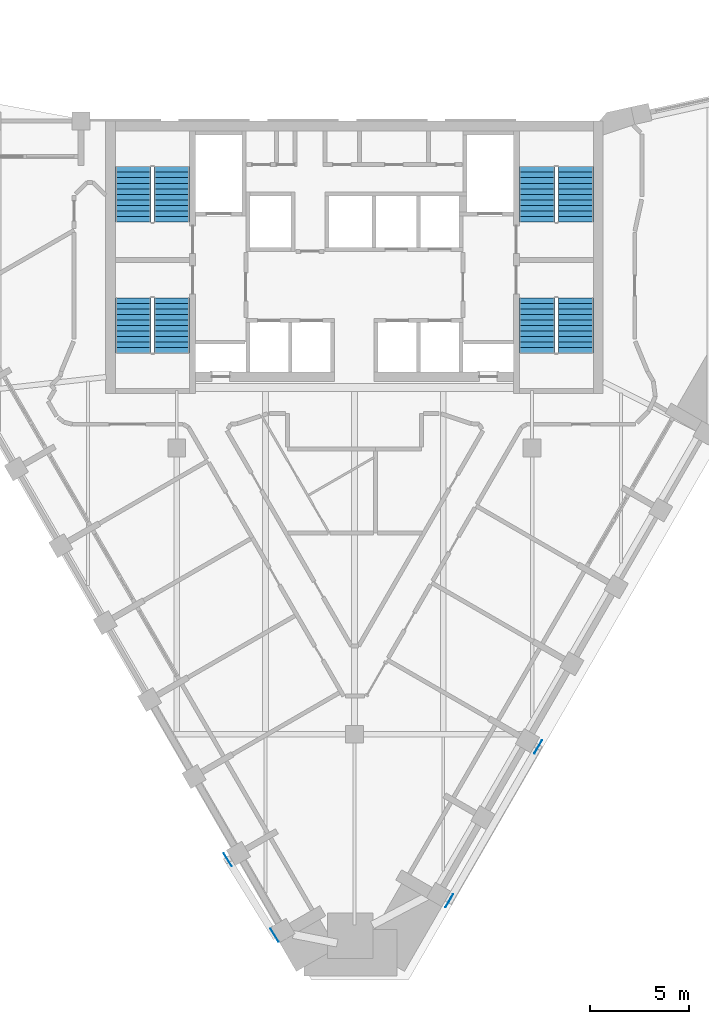
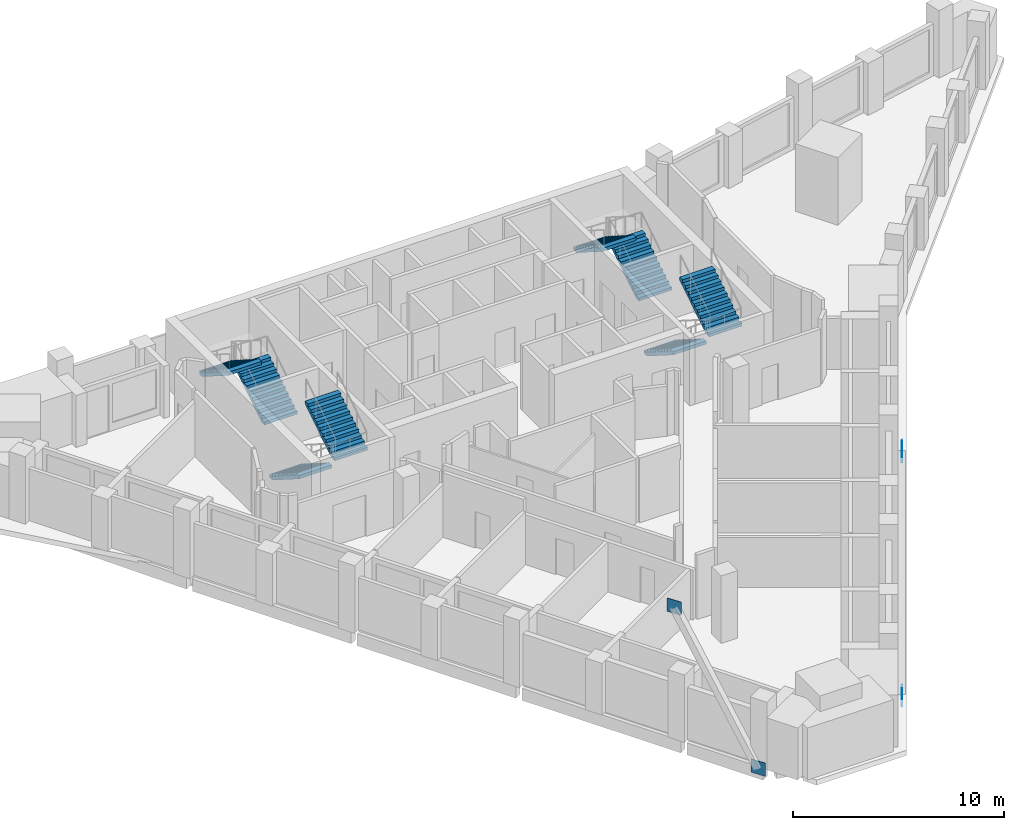
# One storey, part 8 of 9: 8 stair flights, 4 discrete accessories, 4 elements without a shape of their own.
"""IFC4 building model written with IfcOpenShell, lengths in metres."""

from ifc_helpers import new_model, si_unit, direction, frame, origin, origin_2d, place, context, subcontext, project, spatial, rectangle, extrude, faceted_brep, source, transform, mapped, material, type_object, element, aggregate, save


model = new_model("IFC4")

# Units and contexts
model_context = context("Model", 3, precision=1e-05, world=origin(), true_north=direction((0.0, 1.0)))
body_context = subcontext(model_context, "Body", "Model", "MODEL_VIEW")
ifc_project = project(units=[si_unit("LENGTHUNIT", "METRE"), si_unit("AREAUNIT", "SQUARE_METRE"), si_unit("VOLUMEUNIT", "CUBIC_METRE"), si_unit("PLANEANGLEUNIT", "RADIAN"), si_unit("MASSUNIT", "GRAM", prefix="KILO")], contexts=[model_context])

# Site, building, storey
site_placement = place(None, origin())
site = spatial("IfcSite", under=ifc_project, at=site_placement, CompositionType="ELEMENT")
building_placement = place(site_placement, origin())
building = spatial("IfcBuilding", under=site, at=building_placement, Name="Calabash Gate Tower", CompositionType="ELEMENT")
storey_placement = place(building_placement, frame((0.0, 0.0, 248.199951171875)))
storey = spatial("IfcBuildingStorey", under=building, at=storey_placement, Name="L59", CompositionType="ELEMENT", Elevation=248.199951171875)

# Stair, stair flights
ifc_material_1 = material(Name="Concrete C40/50", Category="concrete")
stair_type = type_object("IfcStairType", Name="Exit stair 22 risers of 177.3 mm", PredefinedType="HALF_TURN_STAIR", material=ifc_material_1)
stair_1_placement = place(storey_placement, origin())
stair_1 = element("IfcStair", 1, at=stair_1_placement, inside=storey, type_object=stair_type, Name="L59 Exit stair ST1", PredefinedType="HALF_TURN_STAIR")
ifc_material_2 = material(Name="Concrete C40/50", Category="concrete")
stair_flight_type = type_object("IfcStairFlightType", Name="Exit stair flight SFL", PredefinedType="STRAIGHT", material=ifc_material_2)
shared_shape = source(origin(), body_context, "Body", "Brep", [
    faceted_brep([(-0.0009765625, -0.89990234375, 0.0), (0.279541015625, -0.89990234375, 0.0), (2.791015625, -0.89990234375, 1.59521484375), (-0.0009765625, 0.89990234375, 0.0), (2.791015625, 0.89990234375, 1.59521484375), (0.279541015625, 0.89990234375, 0.0), (2.791015625, -0.89990234375, 1.78466796875), (2.7900390625, -0.89990234375, 1.78466796875), (2.7900390625, 0.89990234375, 1.78466796875), (2.791015625, 0.89990234375, 1.78466796875), (2.7900390625, -0.89990234375, 1.772705078125), (2.7900390625, 0.89990234375, 1.772705078125), (2.510986328125, -0.89990234375, 1.772705078125), (2.510986328125, 0.89990234375, 1.772705078125), (2.510986328125, -0.89990234375, 1.595458984375), (2.510986328125, 0.89990234375, 1.595458984375), (2.23193359375, -0.89990234375, 1.595458984375), (2.23193359375, 0.89990234375, 1.595458984375), (2.23193359375, -0.89990234375, 1.418212890625), (2.23193359375, 0.89990234375, 1.418212890625), (1.952880859375, -0.89990234375, 1.418212890625), (1.952880859375, -0.89990234375, 1.240966796875), (1.952880859375, 0.89990234375, 1.240966796875), (1.952880859375, 0.89990234375, 1.418212890625), (1.674072265625, -0.89990234375, 1.240966796875), (1.674072265625, -0.89990234375, 1.063720703125), (1.674072265625, 0.89990234375, 1.063720703125), (1.674072265625, 0.89990234375, 1.240966796875), (1.39501953125, -0.89990234375, 1.063720703125), (1.39501953125, -0.89990234375, 0.886474609375), (1.39501953125, 0.89990234375, 0.886474609375), (1.39501953125, 0.89990234375, 1.063720703125), (1.115966796875, -0.89990234375, 0.886474609375), (1.115966796875, -0.89990234375, 0.708984375), (1.115966796875, 0.89990234375, 0.708984375), (1.115966796875, 0.89990234375, 0.886474609375), (0.8369140625, -0.89990234375, 0.708984375), (0.8369140625, -0.89990234375, 0.53173828125), (0.8369140625, 0.89990234375, 0.53173828125), (0.8369140625, 0.89990234375, 0.708984375), (0.55810546875, -0.89990234375, 0.53173828125), (0.55810546875, -0.89990234375, 0.3544921875), (0.55810546875, 0.89990234375, 0.3544921875), (0.55810546875, 0.89990234375, 0.53173828125), (0.279052734375, -0.89990234375, 0.3544921875), (0.279052734375, -0.89990234375, 0.17724609375), (0.279052734375, 0.89990234375, 0.17724609375), (0.279052734375, 0.89990234375, 0.3544921875), (-0.0009765625, -0.89990234375, 0.17724609375), (-0.0009765625, 0.89990234375, 0.17724609375), (0.279541015625, -0.360107421875, 0.0), (2.791015625, -0.360107421875, 1.59521484375), (0.279541015625, 0.0, 0.0), (2.791015625, 0.0, 1.59521484375), (0.279541015625, 0.360107421875, 0.0), (2.791015625, 0.360107421875, 1.59521484375), (2.791015625, -0.360107421875, 1.78466796875), (2.791015625, 0.0, 1.78466796875), (2.791015625, 0.360107421875, 1.78466796875), (2.7900390625, -0.360107421875, 1.78466796875), (2.7900390625, 0.0, 1.78466796875), (2.7900390625, 0.360107421875, 1.78466796875), (2.7900390625, -0.360107421875, 1.772705078125), (2.7900390625, 0.0, 1.772705078125), (2.7900390625, 0.360107421875, 1.772705078125), (2.510986328125, -0.360107421875, 1.772705078125), (2.510986328125, 0.0, 1.772705078125), (2.510986328125, 0.360107421875, 1.772705078125), (2.510986328125, -0.360107421875, 1.595458984375), (2.510986328125, 0.0, 1.595458984375), (2.510986328125, 0.360107421875, 1.595458984375), (2.23193359375, -0.360107421875, 1.595458984375), (2.23193359375, 0.0, 1.595458984375), (2.23193359375, 0.360107421875, 1.595458984375), (2.23193359375, -0.360107421875, 1.418212890625), (2.23193359375, 0.0, 1.418212890625), (2.23193359375, 0.360107421875, 1.418212890625), (1.952880859375, -0.360107421875, 1.418212890625), (1.952880859375, 0.0, 1.418212890625), (1.952880859375, 0.360107421875, 1.418212890625), (1.952880859375, -0.360107421875, 1.240966796875), (1.952880859375, 0.0, 1.240966796875), (1.952880859375, 0.360107421875, 1.240966796875), (1.674072265625, -0.360107421875, 1.240966796875), (1.674072265625, 0.0, 1.240966796875), (1.674072265625, 0.360107421875, 1.240966796875), (1.674072265625, -0.360107421875, 1.063720703125), (1.674072265625, 0.0, 1.063720703125), (1.674072265625, 0.360107421875, 1.063720703125), (1.39501953125, -0.360107421875, 1.063720703125), (1.39501953125, 0.0, 1.063720703125), (1.39501953125, 0.360107421875, 1.063720703125), (1.39501953125, -0.360107421875, 0.886474609375), (1.39501953125, 0.0, 0.886474609375), (1.39501953125, 0.360107421875, 0.886474609375), (1.115966796875, -0.360107421875, 0.886474609375), (1.115966796875, 0.0, 0.886474609375), (1.115966796875, 0.360107421875, 0.886474609375), (1.115966796875, -0.360107421875, 0.708984375), (1.115966796875, 0.0, 0.708984375), (1.115966796875, 0.360107421875, 0.708984375), (0.8369140625, -0.360107421875, 0.708984375), (0.8369140625, 0.0, 0.708984375), (0.8369140625, 0.360107421875, 0.708984375), (0.8369140625, -0.360107421875, 0.53173828125), (0.8369140625, 0.0, 0.53173828125), (0.8369140625, 0.360107421875, 0.53173828125), (0.55810546875, -0.360107421875, 0.53173828125), (0.55810546875, 0.0, 0.53173828125), (0.55810546875, 0.360107421875, 0.53173828125), (0.55810546875, -0.360107421875, 0.3544921875), (0.55810546875, 0.0, 0.3544921875), (0.55810546875, 0.360107421875, 0.3544921875), (0.279052734375, -0.360107421875, 0.3544921875), (0.279052734375, 0.0, 0.3544921875), (0.279052734375, 0.360107421875, 0.3544921875), (0.279052734375, -0.360107421875, 0.17724609375), (0.279052734375, 0.0, 0.17724609375), (0.279052734375, 0.360107421875, 0.17724609375), (-0.0009765625, -0.360107421875, 0.17724609375), (-0.0009765625, 0.0, 0.17724609375), (-0.0009765625, 0.360107421875, 0.17724609375), (-0.0009765625, -0.360107421875, 0.0), (-0.0009765625, 0.0, 0.0), (-0.0009765625, 0.360107421875, 0.0)], [[[0, 1, 2]], [[3, 4, 5]], [[2, 6, 7]], [[4, 8, 9]], [[2, 7, 10]], [[4, 11, 8]], [[2, 10, 12]], [[4, 13, 11]], [[2, 12, 14]], [[4, 15, 13]], [[2, 14, 16]], [[4, 17, 15]], [[2, 16, 18]], [[4, 19, 17]], [[18, 20, 21]], [[19, 22, 23]], [[2, 18, 21]], [[4, 22, 19]], [[21, 24, 25]], [[22, 26, 27]], [[2, 21, 25]], [[4, 26, 22]], [[25, 28, 29]], [[26, 30, 31]], [[2, 25, 29]], [[4, 30, 26]], [[29, 32, 33]], [[30, 34, 35]], [[2, 29, 33]], [[4, 34, 30]], [[33, 36, 37]], [[34, 38, 39]], [[2, 33, 37]], [[4, 38, 34]], [[37, 40, 41]], [[38, 42, 43]], [[2, 37, 41]], [[4, 42, 38]], [[41, 44, 45]], [[42, 46, 47]], [[2, 41, 45]], [[4, 46, 42]], [[0, 2, 45]], [[3, 46, 4]], [[45, 48, 0]], [[46, 3, 49]], [[1, 50, 2]], [[50, 51, 2]], [[50, 52, 51]], [[52, 53, 51]], [[52, 54, 55]], [[52, 55, 53]], [[54, 5, 4]], [[54, 4, 55]], [[2, 51, 6]], [[51, 56, 6]], [[51, 53, 56]], [[53, 57, 56]], [[53, 55, 58]], [[53, 58, 57]], [[55, 4, 9]], [[55, 9, 58]], [[6, 56, 7]], [[56, 59, 7]], [[56, 57, 59]], [[57, 60, 59]], [[57, 58, 61]], [[57, 61, 60]], [[58, 9, 8]], [[58, 8, 61]], [[7, 59, 10]], [[59, 62, 10]], [[59, 60, 62]], [[60, 63, 62]], [[60, 61, 64]], [[60, 64, 63]], [[61, 8, 11]], [[61, 11, 64]], [[10, 62, 12]], [[62, 65, 12]], [[62, 63, 65]], [[63, 66, 65]], [[63, 64, 67]], [[63, 67, 66]], [[64, 11, 13]], [[64, 13, 67]], [[12, 65, 14]], [[65, 68, 14]], [[65, 66, 68]], [[66, 69, 68]], [[66, 67, 70]], [[66, 70, 69]], [[67, 13, 15]], [[67, 15, 70]], [[14, 68, 16]], [[68, 71, 16]], [[68, 69, 71]], [[69, 72, 71]], [[69, 70, 73]], [[69, 73, 72]], [[70, 15, 17]], [[70, 17, 73]], [[16, 71, 18]], [[71, 74, 18]], [[71, 72, 74]], [[72, 75, 74]], [[72, 73, 76]], [[72, 76, 75]], [[73, 17, 19]], [[73, 19, 76]], [[18, 74, 20]], [[74, 77, 20]], [[74, 75, 77]], [[75, 78, 77]], [[75, 76, 79]], [[75, 79, 78]], [[76, 19, 23]], [[76, 23, 79]], [[20, 77, 21]], [[77, 80, 21]], [[77, 78, 80]], [[78, 81, 80]], [[78, 79, 82]], [[78, 82, 81]], [[79, 23, 22]], [[79, 22, 82]], [[21, 80, 24]], [[80, 83, 24]], [[80, 81, 83]], [[81, 84, 83]], [[81, 82, 85]], [[81, 85, 84]], [[82, 22, 27]], [[82, 27, 85]], [[24, 83, 25]], [[83, 86, 25]], [[83, 84, 86]], [[84, 87, 86]], [[84, 85, 88]], [[84, 88, 87]], [[85, 27, 26]], [[85, 26, 88]], [[25, 86, 28]], [[86, 89, 28]], [[86, 87, 89]], [[87, 90, 89]], [[87, 88, 91]], [[87, 91, 90]], [[88, 26, 31]], [[88, 31, 91]], [[28, 89, 29]], [[89, 92, 29]], [[89, 90, 92]], [[90, 93, 92]], [[90, 91, 94]], [[90, 94, 93]], [[91, 31, 30]], [[91, 30, 94]], [[29, 92, 32]], [[92, 95, 32]], [[92, 93, 95]], [[93, 96, 95]], [[93, 94, 97]], [[93, 97, 96]], [[94, 30, 35]], [[94, 35, 97]], [[32, 95, 33]], [[95, 98, 33]], [[95, 96, 98]], [[96, 99, 98]], [[96, 97, 100]], [[96, 100, 99]], [[97, 35, 34]], [[97, 34, 100]], [[33, 98, 36]], [[98, 101, 36]], [[98, 99, 101]], [[99, 102, 101]], [[99, 100, 103]], [[99, 103, 102]], [[100, 34, 39]], [[100, 39, 103]], [[36, 101, 37]], [[101, 104, 37]], [[101, 102, 104]], [[102, 105, 104]], [[102, 103, 106]], [[102, 106, 105]], [[103, 39, 38]], [[103, 38, 106]], [[37, 104, 40]], [[104, 107, 40]], [[104, 105, 107]], [[105, 108, 107]], [[105, 106, 109]], [[105, 109, 108]], [[106, 38, 43]], [[106, 43, 109]], [[40, 107, 41]], [[107, 110, 41]], [[107, 108, 110]], [[108, 111, 110]], [[108, 109, 112]], [[108, 112, 111]], [[109, 43, 42]], [[109, 42, 112]], [[41, 110, 44]], [[110, 113, 44]], [[110, 111, 113]], [[111, 114, 113]], [[111, 112, 115]], [[111, 115, 114]], [[112, 42, 47]], [[112, 47, 115]], [[44, 113, 45]], [[113, 116, 45]], [[113, 114, 116]], [[114, 117, 116]], [[114, 115, 118]], [[114, 118, 117]], [[115, 47, 46]], [[115, 46, 118]], [[45, 116, 48]], [[116, 119, 48]], [[116, 117, 119]], [[117, 120, 119]], [[117, 118, 121]], [[117, 121, 120]], [[118, 46, 49]], [[118, 49, 121]], [[48, 119, 0]], [[119, 122, 0]], [[119, 120, 122]], [[120, 123, 122]], [[120, 121, 124]], [[120, 124, 123]], [[121, 49, 3]], [[121, 3, 124]], [[0, 122, 1]], [[122, 50, 1]], [[122, 123, 50]], [[123, 52, 50]], [[123, 124, 54]], [[123, 54, 52]], [[124, 3, 5]], [[124, 5, 54]]]),
])
stair_flight_1_placement = place(storey_placement, frame((-9.25, 13.95263671875, 0.0), z_axis=(0.0, 0.0, 1.0), x_axis=(0.0, 1.0, 0.0)))
stair_flight_1 = element("IfcStairFlight", 2, at=stair_flight_1_placement, type_object=stair_flight_type, Name="ST1 flight 1", NumberOfRisers=11, NumberOfTreads=10, PredefinedType="STRAIGHT", RiserHeight=0.177272727, TreadLength=0.279, context=body_context, shape_type="MappedRepresentation", body=[
    mapped(shared_shape, transform((0.0, 0.0, 0.0), scale=1.0)),
])
stair_flight_2_placement = place(storey_placement, frame((-11.199951171875, 16.74267578125, 1.949951171875), z_axis=(0.0, 0.0, 1.0), x_axis=(0.0, -1.0, 0.0)))
stair_flight_2 = element("IfcStairFlight", 3, at=stair_flight_2_placement, type_object=stair_flight_type, Name="ST1 flight 2", NumberOfRisers=11, NumberOfTreads=10, PredefinedType="STRAIGHT", RiserHeight=0.177272727, TreadLength=0.279, context=body_context, shape_type="MappedRepresentation", body=[
    mapped(shared_shape, transform((0.0, 0.0, 0.0), scale=1.0)),
])
aggregate(stair_1, [stair_flight_1, stair_flight_2])

stair_2_placement = place(storey_placement, origin())
stair_2 = element("IfcStair", 4, at=stair_2_placement, inside=storey, type_object=stair_type, Name="L59 Exit stair ST2", PredefinedType="HALF_TURN_STAIR")
stair_flight_3_placement = place(storey_placement, frame((-11.199951171875, 10.1025390625, 0.0), z_axis=(0.0, 0.0, 1.0), x_axis=(0.0, -1.0, 0.0)))
stair_flight_3 = element("IfcStairFlight", 5, at=stair_flight_3_placement, type_object=stair_flight_type, Name="ST2 flight 1", NumberOfRisers=11, NumberOfTreads=10, PredefinedType="STRAIGHT", RiserHeight=0.177272727, TreadLength=0.279, context=body_context, shape_type="MappedRepresentation", body=[
    mapped(shared_shape, transform((0.0, 0.0, 0.0), scale=1.0)),
])
stair_flight_4_placement = place(storey_placement, frame((-9.25, 7.3125, 1.949951171875), z_axis=(0.0, 0.0, 1.0), x_axis=(0.0, 1.0, 0.0)))
stair_flight_4 = element("IfcStairFlight", 6, at=stair_flight_4_placement, type_object=stair_flight_type, Name="ST2 flight 2", NumberOfRisers=11, NumberOfTreads=10, PredefinedType="STRAIGHT", RiserHeight=0.177272727, TreadLength=0.279, context=body_context, shape_type="MappedRepresentation", body=[
    mapped(shared_shape, transform((0.0, 0.0, 0.0), scale=1.0)),
])
aggregate(stair_2, [stair_flight_3, stair_flight_4])

stair_3_placement = place(storey_placement, origin())
stair_3 = element("IfcStair", 7, at=stair_3_placement, inside=storey, type_object=stair_type, Name="L59 Exit stair ST3", PredefinedType="HALF_TURN_STAIR")
stair_flight_5_placement = place(storey_placement, frame((11.199951171875, 13.95263671875, 0.0), z_axis=(0.0, 0.0, 1.0), x_axis=(0.0, 1.0, 0.0)))
stair_flight_5 = element("IfcStairFlight", 8, at=stair_flight_5_placement, type_object=stair_flight_type, Name="ST3 flight 1", NumberOfRisers=11, NumberOfTreads=10, PredefinedType="STRAIGHT", RiserHeight=0.177272727, TreadLength=0.279, context=body_context, shape_type="MappedRepresentation", body=[
    mapped(shared_shape, transform((0.0, 0.0, 0.0), scale=1.0)),
])
stair_flight_6_placement = place(storey_placement, frame((9.25, 16.74267578125, 1.949951171875), z_axis=(0.0, 0.0, 1.0), x_axis=(0.0, -1.0, 0.0)))
stair_flight_6 = element("IfcStairFlight", 9, at=stair_flight_6_placement, type_object=stair_flight_type, Name="ST3 flight 2", NumberOfRisers=11, NumberOfTreads=10, PredefinedType="STRAIGHT", RiserHeight=0.177272727, TreadLength=0.279, context=body_context, shape_type="MappedRepresentation", body=[
    mapped(shared_shape, transform((0.0, 0.0, 0.0), scale=1.0)),
])
aggregate(stair_3, [stair_flight_5, stair_flight_6])

stair_4_placement = place(storey_placement, origin())
stair_4 = element("IfcStair", 10, at=stair_4_placement, inside=storey, type_object=stair_type, Name="L59 Exit stair ST4", PredefinedType="HALF_TURN_STAIR")
stair_flight_7_placement = place(storey_placement, frame((9.25, 10.1025390625, 0.0), z_axis=(0.0, 0.0, 1.0), x_axis=(0.0, -1.0, 0.0)))
stair_flight_7 = element("IfcStairFlight", 11, at=stair_flight_7_placement, type_object=stair_flight_type, Name="ST4 flight 1", NumberOfRisers=11, NumberOfTreads=10, PredefinedType="STRAIGHT", RiserHeight=0.177272727, TreadLength=0.279, context=body_context, shape_type="MappedRepresentation", body=[
    mapped(shared_shape, transform((0.0, 0.0, 0.0), scale=1.0)),
])
stair_flight_8_placement = place(storey_placement, frame((11.199951171875, 7.3125, 1.949951171875), z_axis=(0.0, 0.0, 1.0), x_axis=(0.0, 1.0, 0.0)))
stair_flight_8 = element("IfcStairFlight", 12, at=stair_flight_8_placement, type_object=stair_flight_type, Name="ST4 flight 2", NumberOfRisers=11, NumberOfTreads=10, PredefinedType="STRAIGHT", RiserHeight=0.177272727, TreadLength=0.279, context=body_context, shape_type="MappedRepresentation", body=[
    mapped(shared_shape, transform((0.0, 0.0, 0.0), scale=1.0)),
])
aggregate(stair_4, [stair_flight_7, stair_flight_8])

# Discrete accessories
ifc_material_3 = material(Name="Steel ASTM A572 Gr50", Category="steel")
discrete_accessory_type = type_object("IfcDiscreteAccessoryType", Name="Connection plate 25", PredefinedType="BRACKET", material=ifc_material_3)
for number, where, z_axis, x_axis, name in (
    (13, (-4.0419921875, -22.18408203125, -0.384521484375), (0.0, 0.0, 1.0), (-0.52738181941, 0.849628399099, 0.0), "Connection plate Mega-brace SW Z5 37 start"),
    (14, (-6.41650390625, -18.358642578125, 7.41552734375), (0.0, 0.0, 1.0), (-0.52738181941, 0.849628399099, 0.0), "Connection plate Mega-brace SW Z5 37 end"),
    (15, (4.806640625, -20.437744140625, -0.384521484375), (0.0, 0.0, 1.0), (0.499999984885, 0.866025412511, 0.0), "Connection plate Mega-brace SE Z5 42 start"),
    (16, (9.306640625, -12.643310546875, 7.41552734375), (0.0, 0.0, 1.0), (0.499999984885, 0.866025412511, 0.0), "Connection plate Mega-brace SE Z5 42 end"),
):
    element("IfcDiscreteAccessory", number, at=place(storey_placement, frame(where, z_axis=z_axis, x_axis=x_axis)), inside=storey, type_object=discrete_accessory_type, Name=name, PredefinedType="BRACKET", context=body_context, shape_type="SweptSolid", body=[
        extrude(rectangle(XDim=0.76904296875, YDim=0.02490234375, at=origin_2d()), origin(), (0.0, 0.0, 1.0), 0.76904296875),
    ])

save(model, "model.ifc")
